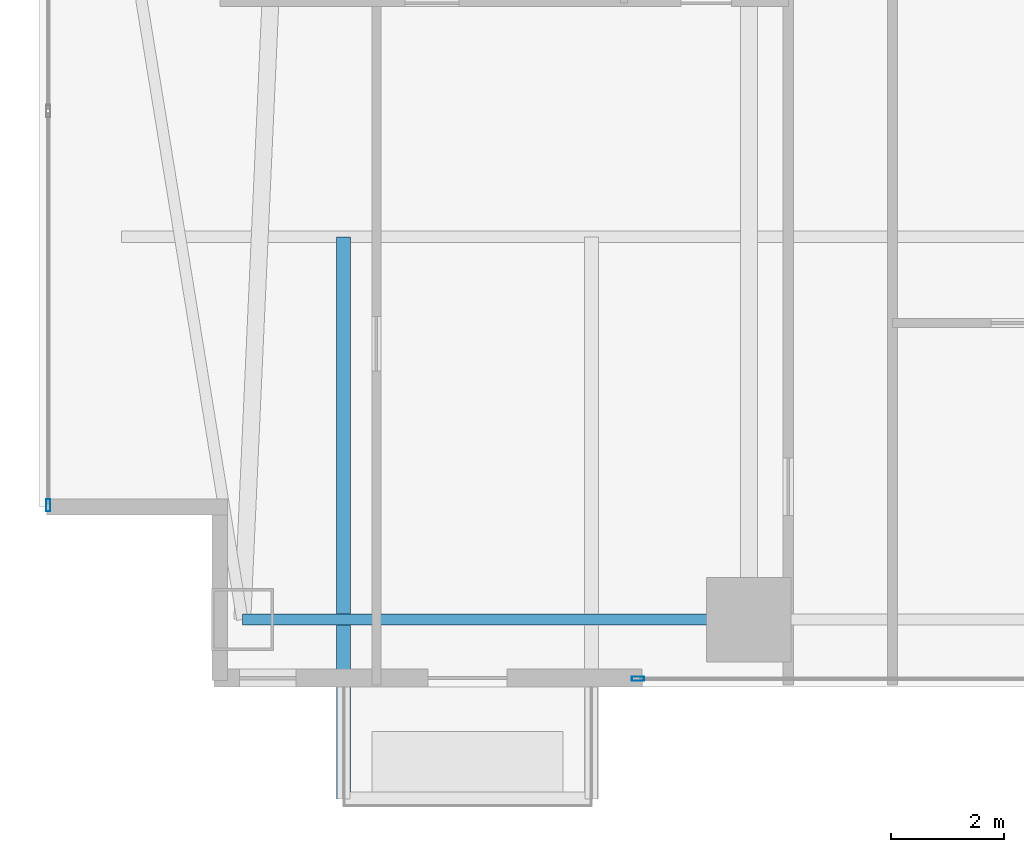
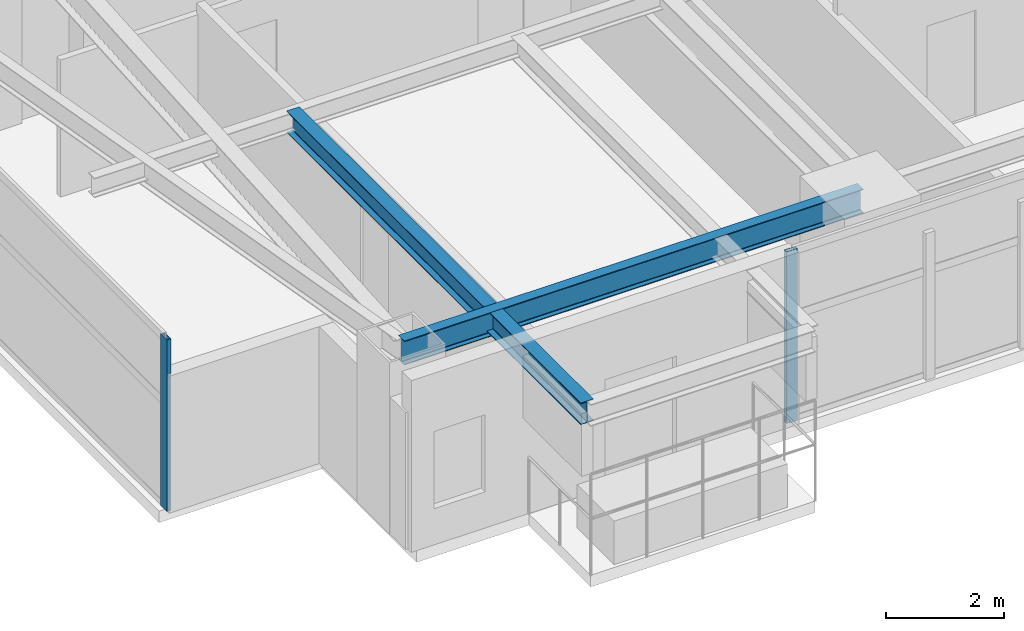
# One storey, part 2 of 30: 2 beams, 2 members, 2 elements without a shape of their own.
"""IFC4 building model written with IfcOpenShell, lengths in metres."""

from ifc_helpers import new_model, si_unit, direction, frame, origin, origin_2d, place, context, subcontext, project, spatial, hollow_rectangle, i_section, extrude, material, layer, layer_set, material_profile, profile_set, type_object, element, aggregate, save


model = new_model("IFC4")

# Units and contexts
model_context = context("Model", 3, precision=1e-05, world=origin(), true_north=direction((0.0, 1.0)))
body_context = subcontext(model_context, "Body", "Model", "MODEL_VIEW")
ifc_project = project(units=[si_unit("LENGTHUNIT", "METRE"), si_unit("AREAUNIT", "SQUARE_METRE"), si_unit("VOLUMEUNIT", "CUBIC_METRE"), si_unit("PLANEANGLEUNIT", "RADIAN"), si_unit("MASSUNIT", "GRAM", prefix="KILO")], contexts=[model_context])

# Site, building, storey
site_placement = place(None, origin())
site = spatial("IfcSite", under=ifc_project, at=site_placement, CompositionType="ELEMENT")
building_placement = place(site_placement, origin())
building = spatial("IfcBuilding", under=site, at=building_placement, Name="Calvorn Quay Hotel", CompositionType="ELEMENT")
storey_placement = place(building_placement, frame((0.0, 0.0, 50.800048828125)))
storey = spatial("IfcBuildingStorey", under=building, at=storey_placement, Name="L11", CompositionType="ELEMENT", Elevation=50.800048828125)

# Beams
ifc_material_1 = material(Name="Steel Q355B", Category="steel")
ifc_material_profile_1 = material_profile(ifc_material_1, i_section(OverallWidth=0.25, OverallDepth=0.449951171875, WebThickness=0.011962890625, FlangeThickness=0.01611328125, FilletRadius=0.01611328125, at=origin_2d()), Name="HN450x250x12x16")
ifc_profile_set_1 = profile_set([ifc_material_profile_1], Name="Steel Q355B")
beam_type_1 = type_object("IfcBeamType", Name="BM-CANT-BALC", PredefinedType="BEAM", material=ifc_profile_set_1)
beam_1_placement = place(storey_placement, frame((5.39990234375, 10.39990234375, 3.31494140625), z_axis=(0.0, -1.0, 0.0), x_axis=(1.0, 0.0, 0.0)))
element("IfcBeam", 1, at=beam_1_placement, inside=storey, type_object=beam_type_1, Name="Cantilever Balcony Beam BCB-L12-2A", PredefinedType="BEAM", context=body_context, shape_type="SweptSolid", body=[
    extrude(i_section(OverallWidth=0.25, OverallDepth=0.449951171875, WebThickness=0.011962890625, FlangeThickness=0.01611328125, FilletRadius=0.01611328125, at=origin_2d()), origin(), (0.0, 0.0, 1.0), 9.989990234375),
])
ifc_material_2 = material(Name="Steel Q355B", Category="steel")
ifc_material_profile_2 = material_profile(ifc_material_2, i_section(OverallWidth=0.199951171875, OverallDepth=0.5, WebThickness=0.010009765625, FlangeThickness=0.01611328125, FilletRadius=0.01611328125, at=origin_2d()), Name="HN500x200x10x16")
ifc_profile_set_2 = profile_set([ifc_material_profile_2], Name="Steel Q355B")
beam_type_2 = type_object("IfcBeamType", Name="BM-SPANDREL-Z1", PredefinedType="SPANDREL", material=ifc_profile_set_2)
beam_2_placement = place(storey_placement, frame((3.60009765625, 3.60009765625, 3.2900390625), z_axis=(1.0, 0.0, 0.0), x_axis=(0.0, 1.0, 0.0)))
element("IfcBeam", 2, at=beam_2_placement, inside=storey, type_object=beam_type_2, Name="Beam BSP-L11-S1", PredefinedType="SPANDREL", context=body_context, shape_type="SweptSolid", body=[
    extrude(i_section(OverallWidth=0.199951171875, OverallDepth=0.5, WebThickness=0.010009765625, FlangeThickness=0.01611328125, FilletRadius=0.01611328125, at=origin_2d()), origin(), (0.0, 0.0, 1.0), 9.0),
])

# Curtain wall, member
ifc_material_3 = material(Name="Pale Anodised Aluminium and Low-E Glass", Category="aluminium")
ifc_layer = layer(ifc_material_3, 0.219970703125)
ifc_layer_set = layer_set([ifc_layer], Name="CW-SYS-Z1")
curtain_wall_type = type_object("IfcCurtainWallType", Name="CW-SYS-Z1", PredefinedType="NOTDEFINED", material=ifc_layer_set)
curtain_wall_1_placement = place(storey_placement, origin())
curtain_wall_1 = element("IfcCurtainWall", 3, at=curtain_wall_1_placement, inside=storey, type_object=curtain_wall_type, Name="Tower West Curtain Wall (L11)", PredefinedType="NOTDEFINED")
ifc_material_4 = material(Name="Pale Anodised Aluminium 6063-T6", Category="aluminium")
ifc_material_profile_3 = material_profile(ifc_material_4, hollow_rectangle(XDim=0.074951171875, YDim=0.219970703125, WallThickness=0.00439453125, at=origin_2d()), Name="ALU-M220x75x4.5")
ifc_profile_set_3 = profile_set([ifc_material_profile_3], Name="Pale Anodised Aluminium 6063-T6")
member_type = type_object("IfcMemberType", Name="CW-SYS-Z1-MUL", PredefinedType="MULLION", material=ifc_profile_set_3)
member_1_placement = place(storey_placement, frame((0.14990234375, 5.6298828125, 0.0), z_axis=(0.0, 0.0, 1.0), x_axis=(-1.0, 0.0, 0.0)))
member_1 = element("IfcMember", 4, at=member_1_placement, type_object=member_type, Name="CW-L11-W mullion 1", PredefinedType="MULLION", context=body_context, shape_type="SweptSolid", body=[
    extrude(hollow_rectangle(XDim=0.074951171875, YDim=0.219970703125, WallThickness=0.00439453125, at=origin_2d()), origin(), (0.0, 0.0, 1.0), 3.56005859375),
])
aggregate(curtain_wall_1, [member_1])

curtain_wall_2_placement = place(storey_placement, origin())
curtain_wall_2 = element("IfcCurtainWall", 5, at=curtain_wall_2_placement, inside=storey, type_object=curtain_wall_type, Name="Tower South Waterfront Curtain Wall (L11)", PredefinedType="NOTDEFINED")
member_2_placement = place(storey_placement, frame((10.6298828125, 2.550048828125, 0.0), z_axis=(0.0, 0.0, 1.0), x_axis=(0.0, 1.0, 0.0)))
member_2 = element("IfcMember", 6, at=member_2_placement, type_object=member_type, Name="CW-L11-S mullion 1", PredefinedType="MULLION", context=body_context, shape_type="SweptSolid", body=[
    extrude(hollow_rectangle(XDim=0.074951171875, YDim=0.219970703125, WallThickness=0.00439453125, at=origin_2d()), origin(), (0.0, 0.0, 1.0), 3.56005859375),
])
aggregate(curtain_wall_2, [member_2])

save(model, "model.ifc")
